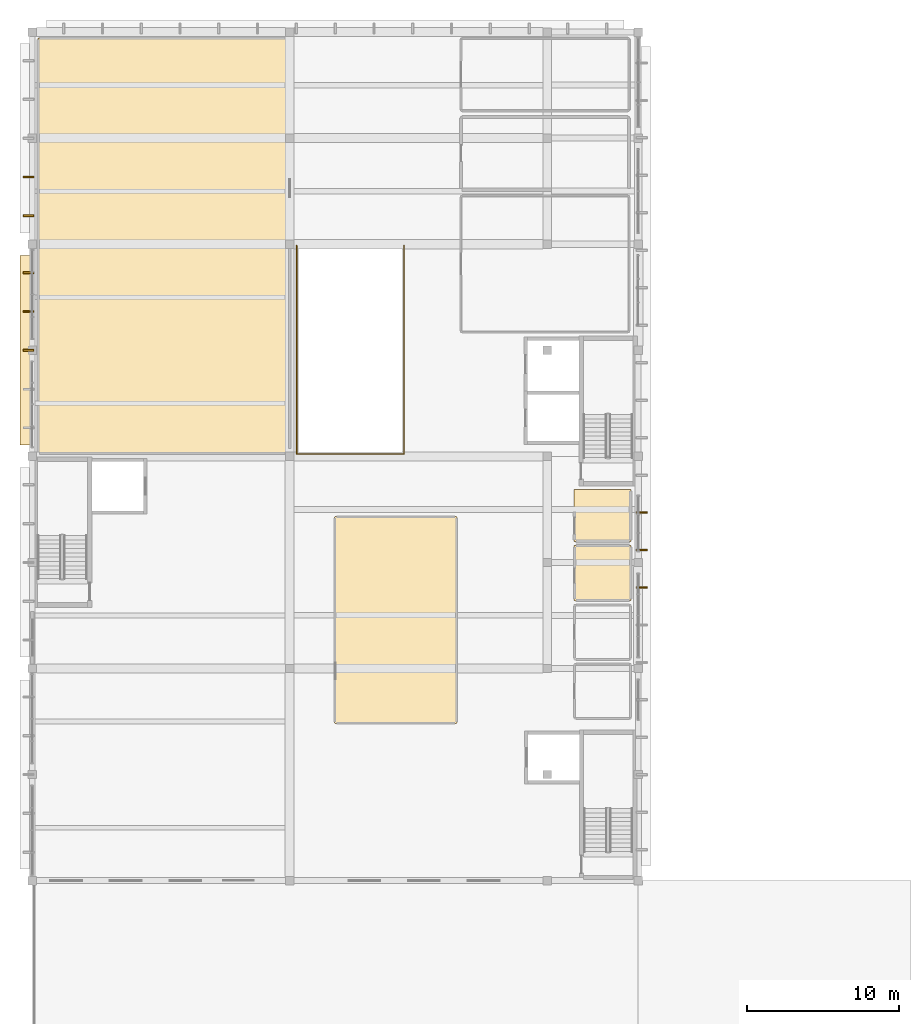
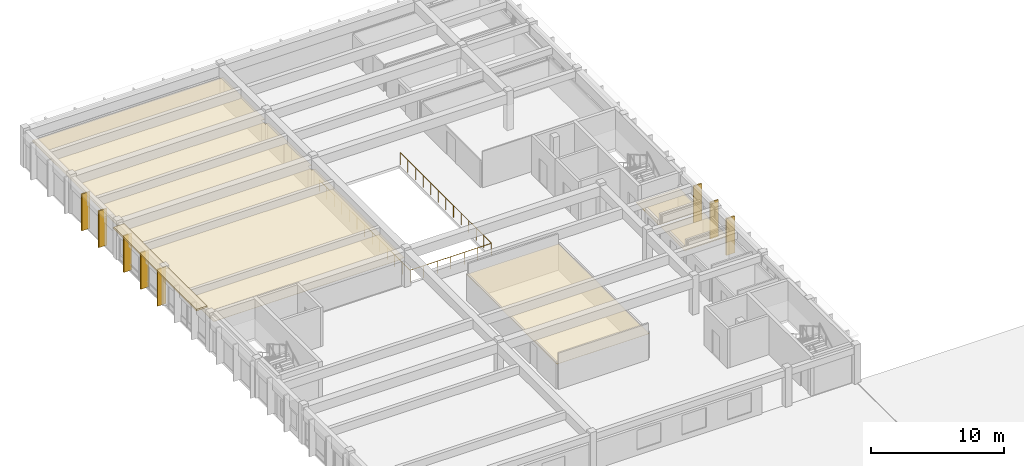
# One storey, part 21 of 23: 13 coverings, 1 railing.
"""IFC4 building model written with IfcOpenShell, lengths in metres."""

import ifcopenshell
import ifcopenshell.guid

model = None  # the IFC model being written
_history = None  # IfcOwnerHistory: only IFC2X3 demands one
_inside = {}  # id of a spatial element -> (the spatial element, [elements in it])
_under = {}  # id of a project, library or spatial element -> (it, [spatial elements below it])
_declared = {}  # id of a project -> (the project, [libraries it declares])
_typed = {}  # id of a type object -> (the type object, [elements of that type])
_made_of = {}  # id of a material, layer set ... -> (it, [elements and type objects made of it])


def new_model(schema):
    """Start an empty IFC model of exactly this schema.

    Asked for "IFC4X3", IfcOpenShell would pick the latest addendum, in which some entities
    have other attributes; the version numbers below select the first issue.
    IFC2X3 requires an IfcOwnerHistory on every rooted entity: one is made here for all.
    """
    global model, _history
    if schema == "IFC4X3":
        model = ifcopenshell.file(schema_version=(4, 3, 0, 0))
    else:
        model = ifcopenshell.file(schema=schema)
    _inside.clear()
    _under.clear()
    _declared.clear()
    _typed.clear()
    _made_of.clear()
    _history = None
    if model.schema == "IFC2X3":
        org = make("IfcOrganization", Name="unknown")
        user = make(
            "IfcPersonAndOrganization",
            ThePerson=make("IfcPerson", FamilyName="unknown"),
            TheOrganization=org,
        )
        app = make(
            "IfcApplication",
            ApplicationDeveloper=org,
            Version="unknown",
            ApplicationFullName="unknown",
            ApplicationIdentifier="unknown",
        )
        _history = make(
            "IfcOwnerHistory",
            OwningUser=user,
            OwningApplication=app,
            ChangeAction="ADDED",
            CreationDate=0,
        )
    return model


def make(cls, **values):
    """One entity of the class cls with the attributes given. An attribute that is None is left unset."""
    return model.create_entity(
        cls, **{name: value for name, value in values.items() if value is not None}
    )


def rooted(cls, **values):
    """An entity with a GlobalId (a new one), such as an element, a storey or a relation."""
    return make(cls, GlobalId=ifcopenshell.guid.new(), OwnerHistory=_history, **values)


def si_unit(unit_type, name, prefix=None):
    """IfcSIUnit, for example si_unit("LENGTHUNIT", "METRE", prefix="MILLI")."""
    return make("IfcSIUnit", UnitType=unit_type, Prefix=prefix, Name=name)


def assignment(units):
    """IfcUnitAssignment: the units of a project."""
    return None if units is None else make("IfcUnitAssignment", Units=units)


def point(xyz):
    """IfcCartesianPoint."""
    return None if xyz is None else make("IfcCartesianPoint", Coordinates=xyz)


def direction(xyz):
    """IfcDirection."""
    return None if xyz is None else make("IfcDirection", DirectionRatios=xyz)


def frame(location, z_axis=None, x_axis=None):
    """IfcAxis2Placement3D, a coordinate frame: its origin and axes. An axis left out is left unset."""
    return make(
        "IfcAxis2Placement3D",
        Location=point(location),
        Axis=direction(z_axis),
        RefDirection=direction(x_axis),
    )


def frame_2d(location, x_axis=None):
    """IfcAxis2Placement2D, a coordinate frame in the plane: its origin and x axis."""
    return make(
        "IfcAxis2Placement2D", Location=point(location), RefDirection=direction(x_axis)
    )


def origin():
    """The frame at (0, 0, 0) with its axes left unset."""
    return frame((0.0, 0.0, 0.0))


def origin_2d():
    """The frame at (0, 0) in the plane with its x axis left unset."""
    return frame_2d((0.0, 0.0))


def place(relative_to, where):
    """IfcLocalPlacement: puts the frame where relative to a parent placement (None: the world)."""
    return make(
        "IfcLocalPlacement", PlacementRelTo=relative_to, RelativePlacement=where
    )


def context(
    kind, dimensions, precision=None, world=None, true_north=None, identifier=None
):
    """IfcGeometricRepresentationContext, for example the 3D "Model" context."""
    return make(
        "IfcGeometricRepresentationContext",
        ContextIdentifier=identifier,
        ContextType=kind,
        CoordinateSpaceDimension=dimensions,
        Precision=precision,
        WorldCoordinateSystem=world,
        TrueNorth=true_north,
    )


def subcontext(parent, identifier, kind, view, scale=None):
    """IfcGeometricRepresentationSubContext, for example "Body" below "Model"."""
    return make(
        "IfcGeometricRepresentationSubContext",
        ContextIdentifier=identifier,
        ContextType=kind,
        ParentContext=parent,
        TargetScale=scale,
        TargetView=view,
    )


def project(units=None, contexts=None):
    """IfcProject with its units and contexts."""
    return rooted(
        "IfcProject",
        Name="project",
        RepresentationContexts=contexts,
        UnitsInContext=assignment(units),
    )


def spatial(cls, under=None, at=None, **own):
    """A site, building, storey or space (cls), placed at a placement, below another one or the project."""
    s = rooted(cls, ObjectPlacement=at, **own)
    if under is not None:
        _under.setdefault(under.id(), (under, []))[1].append(s)
    return s


def polyline(points):
    """IfcPolyline through the points."""
    return make("IfcPolyline", Points=[point(p) for p in points])


def profile(cls, at=None, kind="AREA", **sizes):
    """A parametric profile (cls). Its sizes go by their IFC names, for example OverallWidth=200.0."""
    return make(cls, ProfileType=kind, Position=at, **sizes)


def rectangle(**sizes):
    """IfcRectangleProfileDef."""
    return profile("IfcRectangleProfileDef", **sizes)


def circle(**sizes):
    """IfcCircleProfileDef."""
    return profile("IfcCircleProfileDef", **sizes)


def outline(outer, holes=None, kind="AREA"):
    """IfcArbitraryClosedProfileDef: a profile drawn as a closed curve; with holes, ...WithVoids."""
    if holes is None:
        return make("IfcArbitraryClosedProfileDef", ProfileType=kind, OuterCurve=outer)
    return make(
        "IfcArbitraryProfileDefWithVoids",
        ProfileType=kind,
        OuterCurve=outer,
        InnerCurves=holes,
    )


def extrude(swept, where, along, depth):
    """IfcExtrudedAreaSolid: the profile swept, set in the frame where, extruded along a direction by depth."""
    return make(
        "IfcExtrudedAreaSolid",
        SweptArea=swept,
        Position=where,
        ExtrudedDirection=direction(along),
        Depth=depth,
    )


def shape(context_of_items, identifier, shape_type, items):
    """IfcShapeRepresentation: the items that make up one representation, for example the "Body"."""
    return make(
        "IfcShapeRepresentation",
        ContextOfItems=context_of_items,
        RepresentationIdentifier=identifier,
        RepresentationType=shape_type,
        Items=items,
    )


def material(Name=None, Category=None):
    """IfcMaterial."""
    return make("IfcMaterial", Name=Name, Category=Category)


def layer(
    of_material, thickness, ventilated=None, Name=None, Category=None, Priority=None
):
    """IfcMaterialLayer: one layer of a wall or slab, of a material (None: an air gap)."""
    return make(
        "IfcMaterialLayer",
        Material=of_material,
        LayerThickness=thickness,
        IsVentilated=ventilated,
        Name=Name,
        Category=Category,
        Priority=Priority,
    )


def layer_set(layers, Name=None):
    """IfcMaterialLayerSet."""
    return make("IfcMaterialLayerSet", MaterialLayers=layers, LayerSetName=Name)


def made_of(thing, what):
    """Note that an element or type object is made of a material, layer set ...; save() writes the relation."""
    if what is not None:
        _made_of.setdefault(what.id(), (what, []))[1].append(thing)
    return thing


def type_object(cls, material=None, **own):
    """A type object (cls), such as IfcWallType, which elements share."""
    return made_of(rooted(cls, **own), material)


def element(
    cls,
    number,
    at=None,
    inside=None,
    cuts=None,
    type_object=None,
    material=None,
    context=None,
    identifier="Body",
    shape_type=None,
    held_by="IfcProductDefinitionShape",
    body=None,
    shapes=None,
    **own,
):
    """One element of the class cls, such as IfcWall. Its Tag is "e" and its number.

    at: its placement. inside: the storey or other place that contains it. cuts: it is an
    opening in that element (IfcRelVoidsElement). A single representation is given by context,
    identifier, shape_type and body (its items); several are given by shapes. held_by: the class
    of the entity that holds the representations. save() writes the other relations.
    """
    e = rooted(cls, Tag="e%d" % number, ObjectPlacement=at, **own)
    if body is not None:
        shapes = [shape(context, identifier, shape_type, body)]
    if shapes is not None:
        e.Representation = make(held_by, Representations=shapes)
    if inside is not None:
        _inside.setdefault(inside.id(), (inside, []))[1].append(e)
    if cuts is not None:
        rooted(
            "IfcRelVoidsElement", RelatingBuildingElement=cuts, RelatedOpeningElement=e
        )
    if type_object is not None:
        _typed.setdefault(type_object.id(), (type_object, []))[1].append(e)
    return made_of(e, material)


def aggregate(whole, parts):
    """IfcRelAggregates: a whole, such as a stair, and the parts it consists of."""
    return rooted("IfcRelAggregates", RelatingObject=whole, RelatedObjects=parts)


def save(model, path):
    """Write the relations noted so far, then the file.

    IfcRelAggregates (storeys below a building ...), IfcRelContainedInSpatialStructure (elements
    in a storey), IfcRelDefinesByType, IfcRelAssociatesMaterial and IfcRelDeclares: one each for
    every whole, place, type object, material and project.
    """
    for whole, parts in _under.values():
        aggregate(whole, parts)
    for where, things in _inside.values():
        rooted(
            "IfcRelContainedInSpatialStructure",
            RelatedElements=things,
            RelatingStructure=where,
        )
    for kind, things in _typed.values():
        rooted("IfcRelDefinesByType", RelatedObjects=things, RelatingType=kind)
    for what, things in _made_of.values():
        rooted("IfcRelAssociatesMaterial", RelatedObjects=things, RelatingMaterial=what)
    for by, libraries in _declared.values():
        rooted("IfcRelDeclares", RelatingContext=by, RelatedDefinitions=libraries)
    model.write(path)


model = new_model("IFC4")

# Units and contexts
model_context = context("Model", 3, precision=1e-05, world=origin(), true_north=direction((0.0, 1.0)))
body_context = subcontext(model_context, "Body", "Model", "MODEL_VIEW")
ifc_project = project(units=[si_unit("LENGTHUNIT", "METRE"), si_unit("AREAUNIT", "SQUARE_METRE"), si_unit("VOLUMEUNIT", "CUBIC_METRE"), si_unit("PLANEANGLEUNIT", "RADIAN"), si_unit("MASSUNIT", "GRAM", prefix="KILO")], contexts=[model_context])

# Site, building, storey
site_placement = place(None, origin())
site = spatial("IfcSite", under=ifc_project, at=site_placement, CompositionType="ELEMENT")
building_placement = place(site_placement, origin())
building = spatial("IfcBuilding", under=site, at=building_placement, Name="Larkveld Mobility Hub", CompositionType="ELEMENT")
storey_placement = place(building_placement, frame((0.0, 0.0, 19.199951171875)))
storey = spatial("IfcBuildingStorey", under=building, at=storey_placement, Name="L05", CompositionType="ELEMENT", Elevation=19.199951171875)

# Coverings
ifc_material_1 = material(Name="Precast concrete C50/60", Category="concrete")
ifc_layer_1 = layer(ifc_material_1, 0.14990234375, Name="Precast concrete C50/60", Category="concrete")
ifc_layer_set_1 = layer_set([ifc_layer_1], Name="Precast concrete C50/60")
covering_type_1 = type_object("IfcCoveringType", Name="COV-QSL-H01", PredefinedType="CLADDING", material=ifc_layer_set_1)
covering_1_placement = place(storey_placement, frame((111.659912109375, 63.0, 3.3701171875), z_axis=(0.0, 0.0, 1.0), x_axis=(0.0, -1.0, 0.0)))
element("IfcCovering", 1, at=covering_1_placement, inside=storey, type_object=covering_type_1, Name="Precast Quebra-Sol Horizontal Sunbreaker QSH-596", PredefinedType="CLADDING", context=body_context, shape_type="SweptSolid", body=[
    extrude(rectangle(XDim=12.5, YDim=0.919921875, at=origin_2d()), origin(), (0.0, 0.0, 1.0), 0.14990234375),
])
ifc_layer_2 = layer(ifc_material_1, 0.1201171875, Name="Precast concrete C50/60", Category="concrete")
ifc_layer_set_2 = layer_set([ifc_layer_2], Name="Precast concrete C50/60")
covering_type_2 = type_object("IfcCoveringType", Name="COV-QSL-V01", PredefinedType="CLADDING", material=ifc_layer_set_2)
for number, where, z_axis, x_axis, name in (
    (2, (111.760009765625, 68.1201171875, -0.0205078125), (0.0, 0.0, 1.0), (0.0, -1.0, 0.0), "Precast Quebra-Sol Vertical Fin QSV-597"),
    (3, (111.760009765625, 65.56005859375, -0.0205078125), (0.0, 0.0, 1.0), (0.0, -1.0, 0.0), "Precast Quebra-Sol Vertical Fin QSV-598"),
    (4, (111.760009765625, 63.0, -0.0205078125), (0.0, 0.0, 1.0), (0.0, -1.0, 0.0), "Precast Quebra-Sol Vertical Fin QSV-599"),
    (5, (111.760009765625, 74.43994140625, -0.0205078125), (0.0, 0.0, 1.0), (0.0, -1.0, 0.0), "Precast Quebra-Sol Vertical Fin QSV-606"),
    (6, (111.760009765625, 71.8798828125, -0.0205078125), (0.0, 0.0, 1.0), (0.0, -1.0, 0.0), "Precast Quebra-Sol Vertical Fin QSV-607"),
    (7, (152.239990234375, 47.344970703125, -0.0205078125), (0.0, 0.0, 1.0), (0.0, 1.0, 0.0), "Precast Quebra-Sol Vertical Fin QSV-616"),
    (8, (152.239990234375, 49.818115234375, -0.0205078125), (0.0, 0.0, 1.0), (0.0, 1.0, 0.0), "Precast Quebra-Sol Vertical Fin QSV-617"),
    (9, (152.239990234375, 52.291015625, -0.0205078125), (0.0, 0.0, 1.0), (0.0, 1.0, 0.0), "Precast Quebra-Sol Vertical Fin QSV-618"),
):
    element("IfcCovering", number, at=place(storey_placement, frame(where, z_axis=z_axis, x_axis=x_axis)), inside=storey, type_object=covering_type_2, Name=name, PredefinedType="CLADDING", context=body_context, shape_type="SweptSolid", body=[
        extrude(rectangle(XDim=0.1201171875, YDim=0.719970703125, at=origin_2d()), origin(), (0.0, 0.0, 1.0), 3.375),
    ])
ifc_material_2 = material(Name="Perforated mineral-fibre acoustic ceiling", Category="masonry")
ifc_layer_3 = layer(ifc_material_2, 0.02001953125, Name="Perforated mineral-fibre acoustic ceiling", Category="masonry")
ifc_layer_set_3 = layer_set([ifc_layer_3], Name="Perforated mineral-fibre acoustic ceiling")
covering_type_3 = type_object("IfcCoveringType", Name="CV-CLG-020", PredefinedType="CEILING", material=ifc_layer_set_3)
covering_2_placement = place(storey_placement, frame((0.0, 0.0, 2.330078125)))
element("IfcCovering", 10, at=covering_2_placement, inside=storey, type_object=covering_type_3, Name="Accessible Unisex Toilet Acoustic Ceiling 054", PredefinedType="CEILING", context=body_context, shape_type="SweptSolid", body=[
    extrude(outline(polyline([(147.820068359375, 46.469970703125), (147.81689453125, 46.469970703125), (147.81396484375, 46.470947265625), (147.81103515625, 46.470947265625), (147.80908203125, 46.471923828125), (147.805908203125, 46.47412109375), (147.802978515625, 46.47509765625), (147.801025390625, 46.47705078125), (147.799072265625, 46.47900390625), (147.779052734375, 46.4990234375), (147.777099609375, 46.5009765625), (147.77490234375, 46.5029296875), (147.77392578125, 46.506103515625), (147.77197265625, 46.509033203125), (147.77099609375, 46.510986328125), (147.77099609375, 46.513916015625), (147.77001953125, 46.51708984375), (147.77001953125, 46.52001953125), (147.77587890625, 50.093994140625), (147.77587890625, 50.096923828125), (147.77587890625, 50.10009765625), (147.777099609375, 50.10302734375), (147.778076171875, 50.10595703125), (147.779052734375, 50.10791015625), (147.781005859375, 50.111083984375), (147.782958984375, 50.113037109375), (147.784912109375, 50.114990234375), (147.787109375, 50.116943359375), (147.7890625, 50.118896484375), (147.7919921875, 50.12109375), (147.7939453125, 50.1220703125), (147.797119140625, 50.123046875), (147.800048828125, 50.1240234375), (147.802978515625, 50.1240234375), (147.805908203125, 50.1240234375), (151.493896484375, 50.1240234375), (151.4970703125, 50.1240234375), (151.5, 50.1240234375), (151.5029296875, 50.123046875), (151.506103515625, 50.1220703125), (151.508056640625, 50.12109375), (151.510986328125, 50.118896484375), (151.512939453125, 50.116943359375), (151.514892578125, 50.114990234375), (151.51708984375, 50.113037109375), (151.51904296875, 50.111083984375), (151.52099609375, 50.10791015625), (151.52197265625, 50.10595703125), (151.52294921875, 50.10302734375), (151.52392578125, 50.10009765625), (151.52392578125, 50.096923828125), (151.52392578125, 50.093994140625), (151.52392578125, 46.506103515625), (151.52392578125, 46.5029296875), (151.52392578125, 46.5), (151.52294921875, 46.4970703125), (151.52197265625, 46.493896484375), (151.52099609375, 46.491943359375), (151.51904296875, 46.489013671875), (151.51708984375, 46.487060546875), (151.514892578125, 46.485107421875), (151.512939453125, 46.48291015625), (151.510986328125, 46.48095703125), (151.508056640625, 46.47900390625), (151.506103515625, 46.47802734375), (151.5029296875, 46.47705078125), (151.5, 46.47607421875), (151.4970703125, 46.47607421875), (151.493896484375, 46.47607421875), (147.820068359375, 46.469970703125)])), origin(), (0.0, 0.0, 1.0), 0.02001953125),
])
covering_3_placement = place(storey_placement, frame((0.0, 0.0, 2.330078125)))
element("IfcCovering", 11, at=covering_3_placement, inside=storey, type_object=covering_type_3, Name="Sports Equipment Rental Shop Acoustic Ceiling 056", PredefinedType="CEILING", context=body_context, shape_type="SweptSolid", body=[
    extrude(outline(polyline([(132.02001953125, 38.3701171875), (132.01708984375, 38.3701171875), (132.013916015625, 38.37109375), (132.010986328125, 38.37109375), (132.009033203125, 38.3720703125), (132.006103515625, 38.3740234375), (132.0029296875, 38.375), (132.0009765625, 38.376953125), (131.9990234375, 38.37890625), (131.97900390625, 38.39892578125), (131.97705078125, 38.40087890625), (131.97509765625, 38.403076171875), (131.97412109375, 38.406005859375), (131.971923828125, 38.408935546875), (131.970947265625, 38.410888671875), (131.970947265625, 38.4140625), (131.969970703125, 38.4169921875), (131.969970703125, 38.419921875), (131.971923828125, 51.989013671875), (131.972900390625, 51.992919921875), (131.972900390625, 51.99609375), (131.97412109375, 51.9990234375), (131.97509765625, 52.0009765625), (131.97607421875, 52.00390625), (131.97802734375, 52.007080078125), (131.97998046875, 52.009033203125), (131.98193359375, 52.010986328125), (131.98388671875, 52.012939453125), (131.987060546875, 52.014892578125), (132.0048828125, 52.02587890625), (132.007080078125, 52.027099609375), (132.009033203125, 52.028076171875), (132.011962890625, 52.029052734375), (132.014892578125, 52.030029296875), (132.01708984375, 52.030029296875), (132.02001953125, 52.030029296875), (139.989013671875, 52.028076171875), (139.992919921875, 52.027099609375), (139.99609375, 52.027099609375), (139.9990234375, 52.02587890625), (140.0009765625, 52.02490234375), (140.00390625, 52.02392578125), (140.007080078125, 52.02197265625), (140.009033203125, 52.02001953125), (140.010986328125, 52.01806640625), (140.012939453125, 52.01611328125), (140.014892578125, 52.012939453125), (140.02587890625, 51.9951171875), (140.027099609375, 51.992919921875), (140.028076171875, 51.990966796875), (140.029052734375, 51.988037109375), (140.030029296875, 51.985107421875), (140.030029296875, 51.98291015625), (140.030029296875, 51.97998046875), (140.028076171875, 38.410888671875), (140.027099609375, 38.406982421875), (140.027099609375, 38.404052734375), (140.02587890625, 38.40087890625), (140.02490234375, 38.39892578125), (140.02392578125, 38.39599609375), (140.02197265625, 38.39306640625), (140.02001953125, 38.39111328125), (140.01806640625, 38.388916015625), (140.01611328125, 38.386962890625), (140.012939453125, 38.385009765625), (139.9951171875, 38.3740234375), (139.992919921875, 38.373046875), (139.989990234375, 38.3720703125), (139.986083984375, 38.37109375), (139.98291015625, 38.3701171875), (139.97998046875, 38.3701171875), (132.02001953125, 38.3701171875)])), origin(), (0.0, 0.0, 1.0), 0.02001953125),
])
ifc_material_3 = material(Name="Moisture-resistant gypsum board ceiling", Category="masonry")
ifc_layer_4 = layer(ifc_material_3, 0.02490234375, Name="Moisture-resistant gypsum board ceiling", Category="masonry")
ifc_layer_set_4 = layer_set([ifc_layer_4], Name="Moisture-resistant gypsum board ceiling")
covering_type_4 = type_object("IfcCoveringType", Name="CV-CLG-025", PredefinedType="CEILING", material=ifc_layer_set_4)
covering_4_placement = place(storey_placement, frame((0.0, 0.0, 2.324951171875)))
element("IfcCovering", 12, at=covering_4_placement, inside=storey, type_object=covering_type_4, Name="Cleaners Store Room Acoustic Ceiling 055", PredefinedType="CEILING", context=body_context, shape_type="SweptSolid", body=[
    extrude(outline(polyline([(147.820068359375, 50.3701171875), (147.81689453125, 50.3701171875), (147.81396484375, 50.37109375), (147.81103515625, 50.37109375), (147.80908203125, 50.3720703125), (147.805908203125, 50.3740234375), (147.802978515625, 50.375), (147.801025390625, 50.376953125), (147.799072265625, 50.37890625), (147.779052734375, 50.39892578125), (147.777099609375, 50.40087890625), (147.77490234375, 50.403076171875), (147.77392578125, 50.406005859375), (147.77197265625, 50.408935546875), (147.77099609375, 50.410888671875), (147.77099609375, 50.4140625), (147.77001953125, 50.4169921875), (147.77001953125, 50.419921875), (147.77587890625, 53.7939453125), (147.77587890625, 53.797119140625), (147.77587890625, 53.800048828125), (147.777099609375, 53.802978515625), (147.778076171875, 53.805908203125), (147.779052734375, 53.80810546875), (147.781005859375, 53.81103515625), (147.782958984375, 53.81298828125), (147.784912109375, 53.81494140625), (147.787109375, 53.81689453125), (147.7890625, 53.819091796875), (147.7919921875, 53.821044921875), (147.7939453125, 53.822021484375), (147.797119140625, 53.822998046875), (147.800048828125, 53.823974609375), (147.802978515625, 53.823974609375), (147.805908203125, 53.823974609375), (151.493896484375, 53.823974609375), (151.4970703125, 53.823974609375), (151.5, 53.823974609375), (151.5029296875, 53.822998046875), (151.506103515625, 53.822021484375), (151.508056640625, 53.821044921875), (151.510986328125, 53.819091796875), (151.512939453125, 53.81689453125), (151.514892578125, 53.81494140625), (151.51708984375, 53.81298828125), (151.51904296875, 53.81103515625), (151.52099609375, 53.80810546875), (151.52197265625, 53.805908203125), (151.52294921875, 53.802978515625), (151.52392578125, 53.800048828125), (151.52392578125, 53.797119140625), (151.52392578125, 53.7939453125), (151.52392578125, 50.406005859375), (151.52392578125, 50.403076171875), (151.52392578125, 50.39990234375), (151.52294921875, 50.39697265625), (151.52197265625, 50.39404296875), (151.52099609375, 50.39208984375), (151.51904296875, 50.388916015625), (151.51708984375, 50.386962890625), (151.514892578125, 50.385009765625), (151.512939453125, 50.383056640625), (151.510986328125, 50.381103515625), (151.508056640625, 50.37890625), (151.506103515625, 50.3779296875), (151.5029296875, 50.376953125), (151.5, 50.3759765625), (151.4970703125, 50.3759765625), (151.493896484375, 50.3759765625), (147.820068359375, 50.3701171875)])), origin(), (0.0, 0.0, 1.0), 0.025146484375),
])
covering_5_placement = place(storey_placement, frame((0.0, 0.0, 2.324951171875)))
element("IfcCovering", 13, at=covering_5_placement, inside=storey, type_object=covering_type_4, Name="Indoor Community Multi-Sport Hall Acoustic Ceiling 057", PredefinedType="CEILING", context=body_context, shape_type="SweptSolid", body=[
    extrude(outline(polyline([(112.4169921875, 56.169921875), (112.4140625, 56.1708984375), (112.410888671875, 56.1708984375), (112.408935546875, 56.172119140625), (112.406005859375, 56.174072265625), (112.403076171875, 56.175048828125), (112.40087890625, 56.177001953125), (112.39892578125, 56.178955078125), (112.37890625, 56.198974609375), (112.376953125, 56.200927734375), (112.375, 56.202880859375), (112.3740234375, 56.2060546875), (112.3720703125, 56.208984375), (112.37109375, 56.2109375), (112.37109375, 56.214111328125), (112.3701171875, 56.217041015625), (112.3701171875, 56.219970703125), (112.373046875, 83.591064453125), (112.3740234375, 83.593994140625), (112.3740234375, 83.596923828125), (112.375, 83.60009765625), (112.3759765625, 83.60302734375), (112.376953125, 83.60498046875), (112.3779296875, 83.60791015625), (112.3798828125, 83.610107421875), (112.382080078125, 83.612060546875), (112.384033203125, 83.614013671875), (112.386962890625, 83.615966796875), (112.388916015625, 83.617919921875), (112.39208984375, 83.618896484375), (112.39501953125, 83.6201171875), (112.39794921875, 83.62109375), (112.39990234375, 83.62109375), (112.403076171875, 83.62109375), (128.990966796875, 83.626953125), (128.993896484375, 83.6259765625), (128.9970703125, 83.6259765625), (129.0, 83.625), (129.0029296875, 83.6240234375), (129.0048828125, 83.623046875), (129.008056640625, 83.6220703125), (129.010009765625, 83.6201171875), (129.011962890625, 83.617919921875), (129.013916015625, 83.615966796875), (129.01611328125, 83.613037109375), (129.01806640625, 83.611083984375), (129.01904296875, 83.60791015625), (129.02001953125, 83.60498046875), (129.02099609375, 83.60205078125), (129.02099609375, 83.60009765625), (129.02099609375, 83.596923828125), (129.02197265625, 77.280029296875), (128.719970703125, 77.280029296875), (128.719970703125, 76.719970703125), (129.02197265625, 76.719970703125), (129.02392578125, 70.280029296875), (128.719970703125, 70.280029296875), (128.719970703125, 69.719970703125), (129.02392578125, 69.719970703125), (129.027099609375, 56.280029296875), (128.719970703125, 56.280029296875), (128.719970703125, 56.178955078125), (112.419921875, 56.169921875), (112.4169921875, 56.169921875)])), origin(), (0.0, 0.0, 1.0), 0.025146484375),
])

# Railing
ifc_material_4 = material(Name="Galvanized Steel S355JR void balustrade", Category="steel")
railing_type = type_object("IfcRailingType", Name="RL-GRD-1120", PredefinedType="GUARDRAIL", material=ifc_material_4)
railing_placement = place(storey_placement, frame((129.4599609375, 69.89990234375, 0.0)))
element("IfcRailing", 14, at=railing_placement, inside=storey, type_object=railing_type, Name="EV Ramp Void U-Guard L05 L05-066", PredefinedType="GUARDRAIL", context=body_context, shape_type="SweptSolid", body=[
    extrude(circle(Radius=0.02392578125, at=origin_2d()), frame((0.0, 0.0, 1.09619140625), z_axis=(0.0, -1.0, 0.0), x_axis=(1.0, 0.0, 0.0)), (0.0, 0.0, 1.0), 13.739990234375),
    extrude(circle(Radius=0.02392578125, at=origin_2d()), frame((0.0, -13.739990234375, 1.09619140625), z_axis=(1.0, 0.0, 0.0), x_axis=(0.0, 1.0, 0.0)), (0.0, 0.0, 1.0), 7.080078125),
    extrude(circle(Radius=0.02392578125, at=origin_2d()), frame((7.080078125, -13.739990234375, 1.09619140625), z_axis=(0.0, 1.0, 0.0), x_axis=(-1.0, 0.0, 0.0)), (0.0, 0.0, 1.0), 13.739990234375),
    extrude(circle(Radius=0.02099609375, at=origin_2d()), origin(), (0.0, 0.0, 1.0), 1.072021484375),
    extrude(circle(Radius=0.02099609375, at=origin_2d()), frame((0.0, -1.14501953125, 0.0)), (0.0, 0.0, 1.0), 1.072021484375),
    extrude(circle(Radius=0.02099609375, at=origin_2d()), frame((0.0, -2.2900390625, 0.0)), (0.0, 0.0, 1.0), 1.072021484375),
    extrude(circle(Radius=0.02099609375, at=origin_2d()), frame((0.0, -3.43505859375, 0.0)), (0.0, 0.0, 1.0), 1.072021484375),
    extrude(circle(Radius=0.02099609375, at=origin_2d()), frame((0.0, -4.580078125, 0.0)), (0.0, 0.0, 1.0), 1.072021484375),
    extrude(circle(Radius=0.02099609375, at=origin_2d()), frame((0.0, -5.72509765625, 0.0)), (0.0, 0.0, 1.0), 1.072021484375),
    extrude(circle(Radius=0.02099609375, at=origin_2d()), frame((0.0, -6.8701171875, 0.0)), (0.0, 0.0, 1.0), 1.072021484375),
    extrude(circle(Radius=0.02099609375, at=origin_2d()), frame((0.0, -8.014892578125, 0.0)), (0.0, 0.0, 1.0), 1.072021484375),
    extrude(circle(Radius=0.02099609375, at=origin_2d()), frame((0.0, -9.159912109375, 0.0)), (0.0, 0.0, 1.0), 1.072021484375),
    extrude(circle(Radius=0.02099609375, at=origin_2d()), frame((0.0, -10.304931640625, 0.0)), (0.0, 0.0, 1.0), 1.072021484375),
    extrude(circle(Radius=0.02099609375, at=origin_2d()), frame((0.0, -11.449951171875, 0.0)), (0.0, 0.0, 1.0), 1.072021484375),
    extrude(circle(Radius=0.02099609375, at=origin_2d()), frame((0.0, -12.594970703125, 0.0)), (0.0, 0.0, 1.0), 1.072021484375),
    extrude(circle(Radius=0.02099609375, at=origin_2d()), frame((0.0, -13.739990234375, 0.0)), (0.0, 0.0, 1.0), 1.072021484375),
    extrude(circle(Radius=0.02099609375, at=origin_2d()), frame((1.179931640625, -13.739990234375, 0.0)), (0.0, 0.0, 1.0), 1.072021484375),
    extrude(circle(Radius=0.02099609375, at=origin_2d()), frame((2.360107421875, -13.739990234375, 0.0)), (0.0, 0.0, 1.0), 1.072021484375),
    extrude(circle(Radius=0.02099609375, at=origin_2d()), frame((3.5400390625, -13.739990234375, 0.0)), (0.0, 0.0, 1.0), 1.072021484375),
    extrude(circle(Radius=0.02099609375, at=origin_2d()), frame((4.719970703125, -13.739990234375, 0.0)), (0.0, 0.0, 1.0), 1.072021484375),
    extrude(circle(Radius=0.02099609375, at=origin_2d()), frame((5.900146484375, -13.739990234375, 0.0)), (0.0, 0.0, 1.0), 1.072021484375),
    extrude(circle(Radius=0.02099609375, at=origin_2d()), frame((7.080078125, -13.739990234375, 0.0)), (0.0, 0.0, 1.0), 1.072021484375),
    extrude(circle(Radius=0.02099609375, at=origin_2d()), frame((7.080078125, -12.594970703125, 0.0)), (0.0, 0.0, 1.0), 1.072021484375),
    extrude(circle(Radius=0.02099609375, at=origin_2d()), frame((7.080078125, -11.449951171875, 0.0)), (0.0, 0.0, 1.0), 1.072021484375),
    extrude(circle(Radius=0.02099609375, at=origin_2d()), frame((7.080078125, -10.304931640625, 0.0)), (0.0, 0.0, 1.0), 1.072021484375),
    extrude(circle(Radius=0.02099609375, at=origin_2d()), frame((7.080078125, -9.159912109375, 0.0)), (0.0, 0.0, 1.0), 1.072021484375),
    extrude(circle(Radius=0.02099609375, at=origin_2d()), frame((7.080078125, -8.014892578125, 0.0)), (0.0, 0.0, 1.0), 1.072021484375),
    extrude(circle(Radius=0.02099609375, at=origin_2d()), frame((7.080078125, -6.8701171875, 0.0)), (0.0, 0.0, 1.0), 1.072021484375),
    extrude(circle(Radius=0.02099609375, at=origin_2d()), frame((7.080078125, -5.72509765625, 0.0)), (0.0, 0.0, 1.0), 1.072021484375),
    extrude(circle(Radius=0.02099609375, at=origin_2d()), frame((7.080078125, -4.580078125, 0.0)), (0.0, 0.0, 1.0), 1.072021484375),
    extrude(circle(Radius=0.02099609375, at=origin_2d()), frame((7.080078125, -3.43505859375, 0.0)), (0.0, 0.0, 1.0), 1.072021484375),
    extrude(circle(Radius=0.02099609375, at=origin_2d()), frame((7.080078125, -2.2900390625, 0.0)), (0.0, 0.0, 1.0), 1.072021484375),
    extrude(circle(Radius=0.02099609375, at=origin_2d()), frame((7.080078125, -1.14501953125, 0.0)), (0.0, 0.0, 1.0), 1.072021484375),
    extrude(circle(Radius=0.02099609375, at=origin_2d()), frame((7.080078125, 0.0, 0.0)), (0.0, 0.0, 1.0), 1.072021484375),
])

save(model, "model.ifc")
